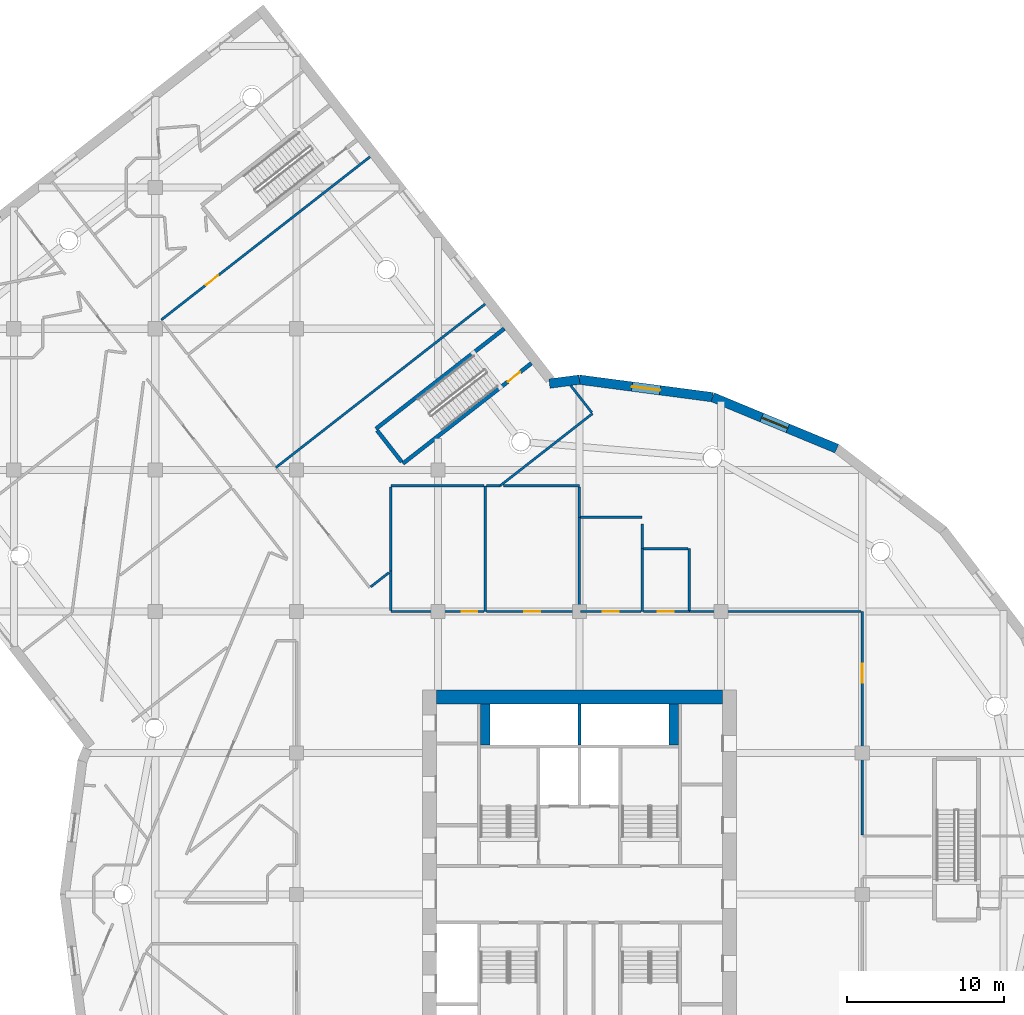
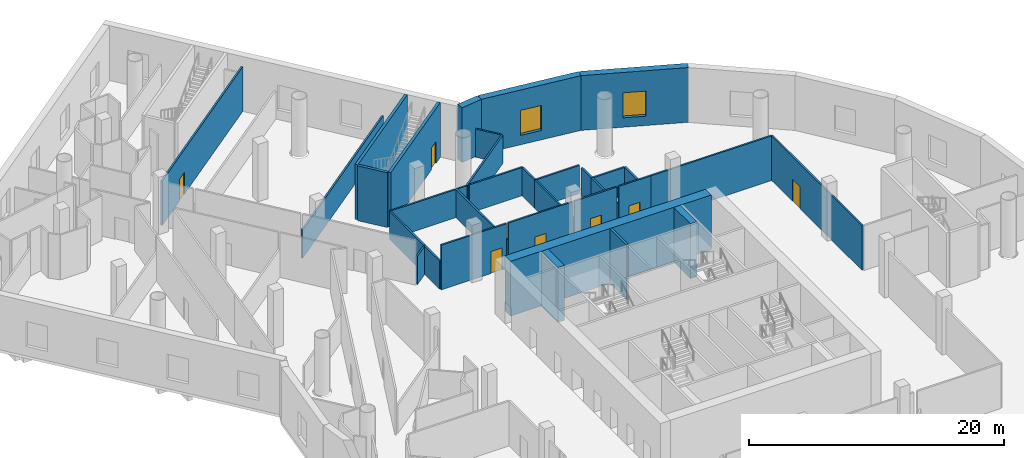
# One storey, part 10 of 23: 34 walls, 7 doors, 2 windows, 9 openings.
"""IFC4 building model written with IfcOpenShell, lengths in metres."""

import ifcopenshell
import ifcopenshell.guid

model = None  # the IFC model being written
_history = None  # IfcOwnerHistory: only IFC2X3 demands one
_inside = {}  # id of a spatial element -> (the spatial element, [elements in it])
_under = {}  # id of a project, library or spatial element -> (it, [spatial elements below it])
_declared = {}  # id of a project -> (the project, [libraries it declares])
_typed = {}  # id of a type object -> (the type object, [elements of that type])
_made_of = {}  # id of a material, layer set ... -> (it, [elements and type objects made of it])


def new_model(schema):
    """Start an empty IFC model of exactly this schema.

    Asked for "IFC4X3", IfcOpenShell would pick the latest addendum, in which some entities
    have other attributes; the version numbers below select the first issue.
    IFC2X3 requires an IfcOwnerHistory on every rooted entity: one is made here for all.
    """
    global model, _history
    if schema == "IFC4X3":
        model = ifcopenshell.file(schema_version=(4, 3, 0, 0))
    else:
        model = ifcopenshell.file(schema=schema)
    _inside.clear()
    _under.clear()
    _declared.clear()
    _typed.clear()
    _made_of.clear()
    _history = None
    if model.schema == "IFC2X3":
        org = make("IfcOrganization", Name="unknown")
        user = make(
            "IfcPersonAndOrganization",
            ThePerson=make("IfcPerson", FamilyName="unknown"),
            TheOrganization=org,
        )
        app = make(
            "IfcApplication",
            ApplicationDeveloper=org,
            Version="unknown",
            ApplicationFullName="unknown",
            ApplicationIdentifier="unknown",
        )
        _history = make(
            "IfcOwnerHistory",
            OwningUser=user,
            OwningApplication=app,
            ChangeAction="ADDED",
            CreationDate=0,
        )
    return model


def make(cls, **values):
    """One entity of the class cls with the attributes given. An attribute that is None is left unset."""
    return model.create_entity(
        cls, **{name: value for name, value in values.items() if value is not None}
    )


def rooted(cls, **values):
    """An entity with a GlobalId (a new one), such as an element, a storey or a relation."""
    return make(cls, GlobalId=ifcopenshell.guid.new(), OwnerHistory=_history, **values)


def si_unit(unit_type, name, prefix=None):
    """IfcSIUnit, for example si_unit("LENGTHUNIT", "METRE", prefix="MILLI")."""
    return make("IfcSIUnit", UnitType=unit_type, Prefix=prefix, Name=name)


def assignment(units):
    """IfcUnitAssignment: the units of a project."""
    return None if units is None else make("IfcUnitAssignment", Units=units)


def point(xyz):
    """IfcCartesianPoint."""
    return None if xyz is None else make("IfcCartesianPoint", Coordinates=xyz)


def direction(xyz):
    """IfcDirection."""
    return None if xyz is None else make("IfcDirection", DirectionRatios=xyz)


def frame(location, z_axis=None, x_axis=None):
    """IfcAxis2Placement3D, a coordinate frame: its origin and axes. An axis left out is left unset."""
    return make(
        "IfcAxis2Placement3D",
        Location=point(location),
        Axis=direction(z_axis),
        RefDirection=direction(x_axis),
    )


def frame_2d(location, x_axis=None):
    """IfcAxis2Placement2D, a coordinate frame in the plane: its origin and x axis."""
    return make(
        "IfcAxis2Placement2D", Location=point(location), RefDirection=direction(x_axis)
    )


def origin():
    """The frame at (0, 0, 0) with its axes left unset."""
    return frame((0.0, 0.0, 0.0))


def place(relative_to, where):
    """IfcLocalPlacement: puts the frame where relative to a parent placement (None: the world)."""
    return make(
        "IfcLocalPlacement", PlacementRelTo=relative_to, RelativePlacement=where
    )


def context(
    kind, dimensions, precision=None, world=None, true_north=None, identifier=None
):
    """IfcGeometricRepresentationContext, for example the 3D "Model" context."""
    return make(
        "IfcGeometricRepresentationContext",
        ContextIdentifier=identifier,
        ContextType=kind,
        CoordinateSpaceDimension=dimensions,
        Precision=precision,
        WorldCoordinateSystem=world,
        TrueNorth=true_north,
    )


def subcontext(parent, identifier, kind, view, scale=None):
    """IfcGeometricRepresentationSubContext, for example "Body" below "Model"."""
    return make(
        "IfcGeometricRepresentationSubContext",
        ContextIdentifier=identifier,
        ContextType=kind,
        ParentContext=parent,
        TargetScale=scale,
        TargetView=view,
    )


def project(units=None, contexts=None):
    """IfcProject with its units and contexts."""
    return rooted(
        "IfcProject",
        Name="project",
        RepresentationContexts=contexts,
        UnitsInContext=assignment(units),
    )


def spatial(cls, under=None, at=None, **own):
    """A site, building, storey or space (cls), placed at a placement, below another one or the project."""
    s = rooted(cls, ObjectPlacement=at, **own)
    if under is not None:
        _under.setdefault(under.id(), (under, []))[1].append(s)
    return s


def profile(cls, at=None, kind="AREA", **sizes):
    """A parametric profile (cls). Its sizes go by their IFC names, for example OverallWidth=200.0."""
    return make(cls, ProfileType=kind, Position=at, **sizes)


def rectangle(**sizes):
    """IfcRectangleProfileDef."""
    return profile("IfcRectangleProfileDef", **sizes)


def extrude(swept, where, along, depth):
    """IfcExtrudedAreaSolid: the profile swept, set in the frame where, extruded along a direction by depth."""
    return make(
        "IfcExtrudedAreaSolid",
        SweptArea=swept,
        Position=where,
        ExtrudedDirection=direction(along),
        Depth=depth,
    )


def shape(context_of_items, identifier, shape_type, items):
    """IfcShapeRepresentation: the items that make up one representation, for example the "Body"."""
    return make(
        "IfcShapeRepresentation",
        ContextOfItems=context_of_items,
        RepresentationIdentifier=identifier,
        RepresentationType=shape_type,
        Items=items,
    )


def material(Name=None, Category=None):
    """IfcMaterial."""
    return make("IfcMaterial", Name=Name, Category=Category)


def layer(
    of_material, thickness, ventilated=None, Name=None, Category=None, Priority=None
):
    """IfcMaterialLayer: one layer of a wall or slab, of a material (None: an air gap)."""
    return make(
        "IfcMaterialLayer",
        Material=of_material,
        LayerThickness=thickness,
        IsVentilated=ventilated,
        Name=Name,
        Category=Category,
        Priority=Priority,
    )


def layer_set(layers, Name=None):
    """IfcMaterialLayerSet."""
    return make("IfcMaterialLayerSet", MaterialLayers=layers, LayerSetName=Name)


def made_of(thing, what):
    """Note that an element or type object is made of a material, layer set ...; save() writes the relation."""
    if what is not None:
        _made_of.setdefault(what.id(), (what, []))[1].append(thing)
    return thing


def type_object(cls, material=None, **own):
    """A type object (cls), such as IfcWallType, which elements share."""
    return made_of(rooted(cls, **own), material)


def element(
    cls,
    number,
    at=None,
    inside=None,
    cuts=None,
    type_object=None,
    material=None,
    context=None,
    identifier="Body",
    shape_type=None,
    held_by="IfcProductDefinitionShape",
    body=None,
    shapes=None,
    **own,
):
    """One element of the class cls, such as IfcWall. Its Tag is "e" and its number.

    at: its placement. inside: the storey or other place that contains it. cuts: it is an
    opening in that element (IfcRelVoidsElement). A single representation is given by context,
    identifier, shape_type and body (its items); several are given by shapes. held_by: the class
    of the entity that holds the representations. save() writes the other relations.
    """
    e = rooted(cls, Tag="e%d" % number, ObjectPlacement=at, **own)
    if body is not None:
        shapes = [shape(context, identifier, shape_type, body)]
    if shapes is not None:
        e.Representation = make(held_by, Representations=shapes)
    if inside is not None:
        _inside.setdefault(inside.id(), (inside, []))[1].append(e)
    if cuts is not None:
        rooted(
            "IfcRelVoidsElement", RelatingBuildingElement=cuts, RelatedOpeningElement=e
        )
    if type_object is not None:
        _typed.setdefault(type_object.id(), (type_object, []))[1].append(e)
    return made_of(e, material)


def fill(opening, filler):
    """IfcRelFillsElement: the door or window that sits in an opening."""
    return rooted(
        "IfcRelFillsElement",
        RelatingOpeningElement=opening,
        RelatedBuildingElement=filler,
    )


def aggregate(whole, parts):
    """IfcRelAggregates: a whole, such as a stair, and the parts it consists of."""
    return rooted("IfcRelAggregates", RelatingObject=whole, RelatedObjects=parts)


def save(model, path):
    """Write the relations noted so far, then the file.

    IfcRelAggregates (storeys below a building ...), IfcRelContainedInSpatialStructure (elements
    in a storey), IfcRelDefinesByType, IfcRelAssociatesMaterial and IfcRelDeclares: one each for
    every whole, place, type object, material and project.
    """
    for whole, parts in _under.values():
        aggregate(whole, parts)
    for where, things in _inside.values():
        rooted(
            "IfcRelContainedInSpatialStructure",
            RelatedElements=things,
            RelatingStructure=where,
        )
    for kind, things in _typed.values():
        rooted("IfcRelDefinesByType", RelatedObjects=things, RelatingType=kind)
    for what, things in _made_of.values():
        rooted("IfcRelAssociatesMaterial", RelatedObjects=things, RelatingMaterial=what)
    for by, libraries in _declared.values():
        rooted("IfcRelDeclares", RelatingContext=by, RelatedDefinitions=libraries)
    model.write(path)


model = new_model("IFC4")

# Units and contexts
model_context = context("Model", 3, precision=1e-05, world=origin(), true_north=direction((0.0, 1.0)))
body_context = subcontext(model_context, "Body", "Model", "MODEL_VIEW")
ifc_project = project(units=[si_unit("LENGTHUNIT", "METRE"), si_unit("AREAUNIT", "SQUARE_METRE"), si_unit("VOLUMEUNIT", "CUBIC_METRE"), si_unit("PLANEANGLEUNIT", "RADIAN"), si_unit("MASSUNIT", "GRAM", prefix="KILO")], contexts=[model_context])

# Site, building, storey
site_placement = place(None, origin())
site = spatial("IfcSite", under=ifc_project, at=site_placement, CompositionType="ELEMENT")
building_placement = place(site_placement, origin())
building = spatial("IfcBuilding", under=site, at=building_placement, Name="Tarsis Ring Headquarters", CompositionType="ELEMENT")
storey_placement = place(building_placement, frame((0.0, 0.0, 14.0)))
storey = spatial("IfcBuildingStorey", under=building, at=storey_placement, Name="L02", CompositionType="ELEMENT", Elevation=14.0)

# Walls
ifc_material_1 = material(Name="Concrete C60/75", Category="concrete")
ifc_layer_1 = layer(ifc_material_1, 0.89990234375)
ifc_layer_set_1 = layer_set([ifc_layer_1], Name="Core wall 900 C60/75")
wall_type_1 = type_object("IfcWallType", Name="Core wall 900 C60/75", PredefinedType="SHEAR", material=ifc_layer_set_1)
wall_1_placement = place(storey_placement, frame((-9.10009765625, 12.550048828125, 0.0), z_axis=(0.0, 0.0, 1.0), x_axis=(1.0, 0.0, 0.0)))
element("IfcWall", 1, at=wall_1_placement, inside=storey, type_object=wall_type_1, Name="Core wall ON", PredefinedType="SHEAR", context=body_context, shape_type="SweptSolid", body=[
    extrude(rectangle(XDim=18.2001953125, YDim=0.89990234375, at=frame_2d((9.10009765625, 0.0))), origin(), (0.0, 0.0, 1.0), 5.25),
])
ifc_material_2 = material(Name="Plasterboard partition")
ifc_layer_2 = layer(ifc_material_2, 0.14990234375)
ifc_layer_set_2 = layer_set([ifc_layer_2], Name="PO-PW150")
wall_type_2 = type_object("IfcWallType", Name="PO-PW150", PredefinedType="PARTITIONING", material=ifc_layer_set_2)
wall_2_placement = place(storey_placement, frame((-6.002197265625, 37.56884765625, 0.0), z_axis=(0.0, 0.0, 1.0), x_axis=(-0.788014736946, -0.61565637685, 0.0)))
element("IfcWall", 2, at=wall_2_placement, inside=storey, type_object=wall_type_2, Name="L02 partition wall 4", PredefinedType="PARTITIONING", context=body_context, shape_type="SweptSolid", body=[
    extrude(rectangle(XDim=16.89990234375, YDim=0.14990234375, at=frame_2d((8.449951171875, 0.0))), origin(), (0.0, 0.0, 1.0), 2.699951171875),
])
wall_3_placement = place(storey_placement, frame((-6.0, 18.0, 0.0), z_axis=(0.0, 0.0, 1.0), x_axis=(0.0, 1.0, 0.0)))
element("IfcWall", 3, at=wall_3_placement, inside=storey, type_object=wall_type_2, Name="L02 partition wall 41", PredefinedType="PARTITIONING", context=body_context, shape_type="SweptSolid", body=[
    extrude(rectangle(XDim=8.0, YDim=0.14990234375, at=frame_2d((4.0, 0.0))), origin(), (0.0, 0.0, 1.0), 2.699951171875),
])
wall_4_placement = place(storey_placement, frame((0.83740234375, 30.602783203125, 0.0), z_axis=(0.0, 0.0, 1.0), x_axis=(-0.788026354001, -0.61564150721, 0.0)))
element("IfcWall", 4, at=wall_4_placement, inside=storey, type_object=wall_type_2, Name="L02 partition wall 50", PredefinedType="PARTITIONING", context=body_context, shape_type="SweptSolid", body=[
    extrude(rectangle(XDim=7.476318359375, YDim=0.14990234375, at=frame_2d((3.73828125, 0.0))), origin(), (0.0, 0.0, 1.0), 2.699951171875),
])
wall_5_placement = place(storey_placement, frame((-6.080078125, 26.0, 0.0), z_axis=(0.0, 0.0, 1.0), x_axis=(-1.0, 0.0, 0.0)))
element("IfcWall", 5, at=wall_5_placement, inside=storey, type_object=wall_type_2, Name="L02 partition wall 61", PredefinedType="PARTITIONING", context=body_context, shape_type="SweptSolid", body=[
    extrude(rectangle(XDim=5.919921875, YDim=0.14990234375, at=frame_2d((2.9599609375, 0.0))), origin(), (0.0, 0.0, 1.0), 2.699951171875),
])
wall_6_placement = place(storey_placement, frame((0.0, 18.0, 0.0), z_axis=(0.0, 0.0, 1.0), x_axis=(0.0, 1.0, 0.0)))
element("IfcWall", 6, at=wall_6_placement, inside=storey, type_object=wall_type_2, Name="L02 partition wall 63", PredefinedType="PARTITIONING", context=body_context, shape_type="SweptSolid", body=[
    extrude(rectangle(XDim=6.0, YDim=0.14990234375, at=frame_2d((3.0, 0.0))), origin(), (0.0, 0.0, 1.0), 2.699951171875),
])
wall_7_placement = place(storey_placement, frame((-12.0, 25.919921875, 0.0), z_axis=(0.0, 0.0, 1.0), x_axis=(0.0, -1.0, 0.0)))
element("IfcWall", 7, at=wall_7_placement, inside=storey, type_object=wall_type_2, Name="L02 partition wall 70", PredefinedType="PARTITIONING", context=body_context, shape_type="SweptSolid", body=[
    extrude(rectangle(XDim=5.346435546875, YDim=0.14990234375, at=frame_2d((2.67333984375, 0.0))), origin(), (0.0, 0.0, 1.0), 2.699951171875),
])
wall_8_placement = place(storey_placement, frame((-0.001953125, 26.0, 0.0), z_axis=(0.0, 0.0, 1.0), x_axis=(-1.0, 0.0, 0.0)))
element("IfcWall", 8, at=wall_8_placement, inside=storey, type_object=wall_type_2, Name="L02 partition wall 74", PredefinedType="PARTITIONING", context=body_context, shape_type="SweptSolid", body=[
    extrude(rectangle(XDim=4.832275390625, YDim=0.14990234375, at=frame_2d((2.416015625, 0.0))), origin(), (0.0, 0.0, 1.0), 2.699951171875),
])
wall_9_placement = place(storey_placement, frame((4.0, 18.0, 0.0), z_axis=(0.0, 0.0, 1.0), x_axis=(0.0, 1.0, 0.0)))
element("IfcWall", 9, at=wall_9_placement, inside=storey, type_object=wall_type_2, Name="L02 partition wall 89", PredefinedType="PARTITIONING", context=body_context, shape_type="SweptSolid", body=[
    extrude(rectangle(XDim=4.0, YDim=0.14990234375, at=frame_2d((2.0, 0.0))), origin(), (0.0, 0.0, 1.0), 2.699951171875),
])
wall_10_placement = place(storey_placement, frame((7.0, 18.080078125, 0.0), z_axis=(0.0, 0.0, 1.0), x_axis=(0.0, 1.0, 0.0)))
element("IfcWall", 10, at=wall_10_placement, inside=storey, type_object=wall_type_2, Name="L02 partition wall 90", PredefinedType="PARTITIONING", context=body_context, shape_type="SweptSolid", body=[
    extrude(rectangle(XDim=3.919921875, YDim=0.14990234375, at=frame_2d((1.9599609375, 0.0))), origin(), (0.0, 0.0, 1.0), 2.699951171875),
])
wall_11_placement = place(storey_placement, frame((0.080078125, 24.0, 0.0), z_axis=(0.0, 0.0, 1.0), x_axis=(1.0, 0.0, 0.0)))
element("IfcWall", 11, at=wall_11_placement, inside=storey, type_object=wall_type_2, Name="L02 partition wall 91", PredefinedType="PARTITIONING", context=body_context, shape_type="SweptSolid", body=[
    extrude(rectangle(XDim=3.91796875, YDim=0.14990234375, at=frame_2d((1.958984375, 0.0))), origin(), (0.0, 0.0, 1.0), 2.699951171875),
])
wall_12_placement = place(storey_placement, frame((6.919921875, 22.0, 0.0), z_axis=(0.0, 0.0, 1.0), x_axis=(-1.0, 0.0, 0.0)))
element("IfcWall", 12, at=wall_12_placement, inside=storey, type_object=wall_type_2, Name="L02 partition wall 100", PredefinedType="PARTITIONING", context=body_context, shape_type="SweptSolid", body=[
    extrude(rectangle(XDim=2.83984375, YDim=0.14990234375, at=frame_2d((1.419921875, 0.0))), origin(), (0.0, 0.0, 1.0), 2.699951171875),
])
wall_13_placement = place(storey_placement, frame((-12.0, 20.573486328125, 0.0), z_axis=(0.0, 0.0, 1.0), x_axis=(0.0, -1.0, 0.0)))
element("IfcWall", 13, at=wall_13_placement, inside=storey, type_object=wall_type_2, Name="L02 partition wall 114", PredefinedType="PARTITIONING", context=body_context, shape_type="SweptSolid", body=[
    extrude(rectangle(XDim=2.493408203125, YDim=0.14990234375, at=frame_2d((1.24658203125, 0.0))), origin(), (0.0, 0.0, 1.0), 2.699951171875),
])
wall_14_placement = place(storey_placement, frame((0.787353515625, 30.66552734375, 0.0), z_axis=(0.0, 0.0, 1.0), x_axis=(-0.615661438752, 0.788010782181, 0.0)))
element("IfcWall", 14, at=wall_14_placement, inside=storey, type_object=wall_type_2, Name="L02 partition wall 118", PredefinedType="PARTITIONING", context=body_context, shape_type="SweptSolid", body=[
    extrude(rectangle(XDim=2.1787109375, YDim=0.14990234375, at=frame_2d((1.08935546875, 0.0))), origin(), (0.0, 0.0, 1.0), 2.699951171875),
])
wall_15_placement = place(storey_placement, frame((0.0, 24.0, 0.0), z_axis=(0.0, 0.0, 1.0), x_axis=(0.0, 1.0, 0.0)))
element("IfcWall", 15, at=wall_15_placement, inside=storey, type_object=wall_type_2, Name="L02 partition wall 127", PredefinedType="PARTITIONING", context=body_context, shape_type="SweptSolid", body=[
    extrude(rectangle(XDim=1.91796875, YDim=0.14990234375, at=frame_2d((0.958984375, 0.0))), origin(), (0.0, 0.0, 1.0), 2.699951171875),
])
wall_16_placement = place(storey_placement, frame((-13.28466796875, 19.56982421875, 0.0), z_axis=(0.0, 0.0, 1.0), x_axis=(0.788089823948, 0.615560256506, 0.0)))
element("IfcWall", 16, at=wall_16_placement, inside=storey, type_object=wall_type_2, Name="L02 partition wall 138", PredefinedType="PARTITIONING", context=body_context, shape_type="SweptSolid", body=[
    extrude(rectangle(XDim=1.47021484375, YDim=0.14990234375, at=frame_2d((0.735107421875, 0.0))), origin(), (0.0, 0.0, 1.0), 2.699951171875),
])
wall_17_placement = place(storey_placement, frame((4.0, 22.0, 0.0), z_axis=(0.0, 0.0, 1.0), x_axis=(0.0, 1.0, 0.0)))
element("IfcWall", 17, at=wall_17_placement, inside=storey, type_object=wall_type_2, Name="L02 partition wall 143", PredefinedType="PARTITIONING", context=body_context, shape_type="SweptSolid", body=[
    extrude(rectangle(XDim=1.567626953125, YDim=0.14990234375, at=frame_2d((0.78369140625, 0.0))), origin(), (0.0, 0.0, 1.0), 2.699951171875),
])
wall_18_placement = place(storey_placement, frame((-5.05419921875, 26.0, 0.0), z_axis=(0.0, 0.0, 1.0), x_axis=(-1.0, 0.0, 0.0)))
element("IfcWall", 18, at=wall_18_placement, inside=storey, type_object=wall_type_2, Name="L02 partition wall 165", PredefinedType="PARTITIONING", context=body_context, shape_type="SweptSolid", body=[
    extrude(rectangle(XDim=0.86572265625, YDim=0.14990234375, at=frame_2d((0.432861328125, 0.0))), origin(), (0.0, 0.0, 1.0), 2.699951171875),
])

# Wall, opening, door
ifc_layer_3 = layer(ifc_material_2, 0.14990234375)
ifc_layer_set_3 = layer_set([ifc_layer_3], Name="PO-PW150R-4283")
wall_type_3 = type_object("IfcWallType", Name="PO-PW150R-4283", PredefinedType="PARTITIONING", material=ifc_layer_set_3)
wall_19_placement = place(storey_placement, frame((-13.3271484375, 46.944580078125, 0.0), z_axis=(0.0, 0.0, 1.0), x_axis=(-0.788009225699, -0.615663430953, 0.0)))
wall_19 = element("IfcWall", 19, at=wall_19_placement, inside=storey, type_object=wall_type_3, Name="L02 partition wall 6", PredefinedType="PARTITIONING", context=body_context, shape_type="SweptSolid", body=[
    extrude(rectangle(XDim=16.860107421875, YDim=0.14990234375, at=frame_2d((8.43017578125, 0.0))), origin(), (0.0, 0.0, 1.0), 4.282958984375),
])
opening_1_placement = place(wall_19_placement, frame((12.263427734375, 0.0, 0.0)))
opening_1 = element("IfcOpeningElement", 20, at=opening_1_placement, cuts=wall_19, Name="Opening PO-D1", PredefinedType="OPENING", context=body_context, shape_type="SweptSolid", body=[
    extrude(rectangle(XDim=1.0, YDim=2.10009765625, at=frame_2d((0.5, 1.050048828125))), frame((0.0, 0.0849609375, 0.0), z_axis=(0.0, -1.0, 0.0), x_axis=(1.0, 0.0, 0.0)), (0.0, 0.0, 1.0), 0.169921875),
])
ifc_material_3 = material(Name="Timber door", Category="wood")
door_type_1 = type_object("IfcDoorType", Name="PO-D1000", OperationType="NOTDEFINED", PredefinedType="DOOR", material=ifc_material_3)
door_1_placement = place(opening_1_placement, origin())
door_1 = element("IfcDoor", 21, at=door_1_placement, inside=storey, type_object=door_type_1, Name="Breakout room door", OperationType="SINGLE_SWING_RIGHT", OverallHeight=2.10009765625, OverallWidth=1.0, PredefinedType="DOOR", context=body_context, shape_type="SweptSolid", body=[
    extrude(rectangle(XDim=1.0, YDim=2.10009765625, at=frame_2d((0.5, 1.050048828125))), frame((0.0, 0.02490234375, 0.0), z_axis=(0.0, -1.0, 0.0), x_axis=(1.0, 0.0, 0.0)), (0.0, 0.0, 1.0), 0.050048828125),
])
fill(opening_1, door_1)

wall_20_placement = place(storey_placement, frame((18.001953125, 18.0, 0.0), z_axis=(0.0, 0.0, 1.0), x_axis=(0.0, -1.0, 0.0)))
wall_20 = element("IfcWall", 22, at=wall_20_placement, inside=storey, type_object=wall_type_3, Name="L02 partition wall 10", PredefinedType="PARTITIONING", context=body_context, shape_type="SweptSolid", body=[
    extrude(rectangle(XDim=14.22998046875, YDim=0.14990234375, at=frame_2d((7.114990234375, 0.0))), origin(), (0.0, 0.0, 1.0), 4.282958984375),
])
opening_2_placement = place(wall_20_placement, frame((3.32080078125, 0.0, 0.0)))
opening_2 = element("IfcOpeningElement", 23, at=opening_2_placement, cuts=wall_20, Name="Opening PO-D2", PredefinedType="OPENING", context=body_context, shape_type="SweptSolid", body=[
    extrude(rectangle(XDim=1.199951171875, YDim=2.10009765625, at=frame_2d((0.60009765625, 1.050048828125))), frame((0.0, 0.0849609375, 0.0), z_axis=(0.0, -1.0, 0.0), x_axis=(1.0, 0.0, 0.0)), (0.0, 0.0, 1.0), 0.169921875),
])
door_type_2 = type_object("IfcDoorType", Name="PO-D1200", OperationType="NOTDEFINED", PredefinedType="DOOR", material=ifc_material_3)
door_2_placement = place(opening_2_placement, origin())
door_2 = element("IfcDoor", 24, at=door_2_placement, inside=storey, type_object=door_type_2, Name="Meeting room door", OperationType="SINGLE_SWING_RIGHT", OverallHeight=2.10009765625, OverallWidth=1.199951171875, PredefinedType="DOOR", context=body_context, shape_type="SweptSolid", body=[
    extrude(rectangle(XDim=1.199951171875, YDim=2.10009765625, at=frame_2d((0.60009765625, 1.050048828125))), frame((0.0, 0.02490234375, 0.0), z_axis=(0.0, -1.0, 0.0), x_axis=(1.0, 0.0, 0.0)), (0.0, 0.0, 1.0), 0.050048828125),
])
fill(opening_2, door_2)

# Wall
wall_21_placement = place(storey_placement, frame((7.001953125, 18.001953125, 0.0), z_axis=(0.0, 0.0, 1.0), x_axis=(1.0, 0.0, 0.0)))
element("IfcWall", 25, at=wall_21_placement, inside=storey, type_object=wall_type_3, Name="L02 partition wall 20", PredefinedType="PARTITIONING", context=body_context, shape_type="SweptSolid", body=[
    extrude(rectangle(XDim=10.91796875, YDim=0.14990234375, at=frame_2d((5.458984375, 0.0))), origin(), (0.0, 0.0, 1.0), 4.282958984375),
])

# Wall, opening, door
wall_22_placement = place(storey_placement, frame((-12.0, 18.0, 0.0), z_axis=(0.0, 0.0, 1.0), x_axis=(1.0, 0.0, 0.0)))
wall_22 = element("IfcWall", 26, at=wall_22_placement, inside=storey, type_object=wall_type_3, Name="L02 partition wall 60", PredefinedType="PARTITIONING", context=body_context, shape_type="SweptSolid", body=[
    extrude(rectangle(XDim=5.919921875, YDim=0.14990234375, at=frame_2d((2.9599609375, 0.0))), origin(), (0.0, 0.0, 1.0), 4.282958984375),
])
opening_3_placement = place(wall_22_placement, frame((4.5, 0.0, 0.0)))
opening_3 = element("IfcOpeningElement", 27, at=opening_3_placement, cuts=wall_22, Name="Opening PO-D1", PredefinedType="OPENING", context=body_context, shape_type="SweptSolid", body=[
    extrude(rectangle(XDim=1.0, YDim=2.10009765625, at=frame_2d((0.5, 1.050048828125))), frame((0.0, 0.0849609375, 0.0), z_axis=(0.0, -1.0, 0.0), x_axis=(1.0, 0.0, 0.0)), (0.0, 0.0, 1.0), 0.169921875),
])
door_3_placement = place(opening_3_placement, origin())
door_3 = element("IfcDoor", 28, at=door_3_placement, inside=storey, type_object=door_type_1, Name="Male WC door", OperationType="SINGLE_SWING_RIGHT", OverallHeight=2.10009765625, OverallWidth=1.0, PredefinedType="DOOR", context=body_context, shape_type="SweptSolid", body=[
    extrude(rectangle(XDim=1.0, YDim=2.10009765625, at=frame_2d((0.5, 1.050048828125))), frame((0.0, 0.02490234375, 0.0), z_axis=(0.0, -1.0, 0.0), x_axis=(1.0, 0.0, 0.0)), (0.0, 0.0, 1.0), 0.050048828125),
])
fill(opening_3, door_3)

wall_23_placement = place(storey_placement, frame((-5.919921875, 18.0, 0.0), z_axis=(0.0, 0.0, 1.0), x_axis=(1.0, 0.0, 0.0)))
wall_23 = element("IfcWall", 29, at=wall_23_placement, inside=storey, type_object=wall_type_3, Name="L02 partition wall 62", PredefinedType="PARTITIONING", context=body_context, shape_type="SweptSolid", body=[
    extrude(rectangle(XDim=5.83984375, YDim=0.14990234375, at=frame_2d((2.919921875, 0.0))), origin(), (0.0, 0.0, 1.0), 4.282958984375),
])
opening_4_placement = place(wall_23_placement, frame((2.419921875, 0.0, 0.0)))
opening_4 = element("IfcOpeningElement", 30, at=opening_4_placement, cuts=wall_23, Name="Opening PO-D1", PredefinedType="OPENING", context=body_context, shape_type="SweptSolid", body=[
    extrude(rectangle(XDim=1.0, YDim=2.10009765625, at=frame_2d((0.5, 1.050048828125))), frame((0.0, 0.0849609375, 0.0), z_axis=(0.0, -1.0, 0.0), x_axis=(1.0, 0.0, 0.0)), (0.0, 0.0, 1.0), 0.169921875),
])
door_4_placement = place(opening_4_placement, origin())
door_4 = element("IfcDoor", 31, at=door_4_placement, inside=storey, type_object=door_type_1, Name="Female WC door", OperationType="SINGLE_SWING_LEFT", OverallHeight=2.10009765625, OverallWidth=1.0, PredefinedType="DOOR", context=body_context, shape_type="SweptSolid", body=[
    extrude(rectangle(XDim=1.0, YDim=2.10009765625, at=frame_2d((0.5, 1.050048828125))), frame((0.0, 0.02490234375, 0.0), z_axis=(0.0, -1.0, 0.0), x_axis=(1.0, 0.0, 0.0)), (0.0, 0.0, 1.0), 0.050048828125),
])
fill(opening_4, door_4)

wall_24_placement = place(storey_placement, frame((0.080078125, 18.0, 0.0), z_axis=(0.0, 0.0, 1.0), x_axis=(1.0, 0.0, 0.0)))
wall_24 = element("IfcWall", 32, at=wall_24_placement, inside=storey, type_object=wall_type_3, Name="L02 partition wall 88", PredefinedType="PARTITIONING", context=body_context, shape_type="SweptSolid", body=[
    extrude(rectangle(XDim=3.83984375, YDim=0.14990234375, at=frame_2d((1.919921875, 0.0))), origin(), (0.0, 0.0, 1.0), 4.282958984375),
])
opening_5_placement = place(wall_24_placement, frame((1.419921875, 0.0, 0.0)))
opening_5 = element("IfcOpeningElement", 33, at=opening_5_placement, cuts=wall_24, Name="Opening PO-D1", PredefinedType="OPENING", context=body_context, shape_type="SweptSolid", body=[
    extrude(rectangle(XDim=1.0, YDim=2.10009765625, at=frame_2d((0.5, 1.050048828125))), frame((0.0, 0.0849609375, 0.0), z_axis=(0.0, -1.0, 0.0), x_axis=(1.0, 0.0, 0.0)), (0.0, 0.0, 1.0), 0.169921875),
])
door_5_placement = place(opening_5_placement, origin())
door_5 = element("IfcDoor", 34, at=door_5_placement, inside=storey, type_object=door_type_1, Name="Accessible WC door", OperationType="SINGLE_SWING_RIGHT", OverallHeight=2.10009765625, OverallWidth=1.0, PredefinedType="DOOR", context=body_context, shape_type="SweptSolid", body=[
    extrude(rectangle(XDim=1.0, YDim=2.10009765625, at=frame_2d((0.5, 1.050048828125))), frame((0.0, 0.02490234375, 0.0), z_axis=(0.0, -1.0, 0.0), x_axis=(1.0, 0.0, 0.0)), (0.0, 0.0, 1.0), 0.050048828125),
])
fill(opening_5, door_5)

wall_25_placement = place(storey_placement, frame((4.080078125, 18.0, 0.0), z_axis=(0.0, 0.0, 1.0), x_axis=(1.0, 0.0, 0.0)))
wall_25 = element("IfcWall", 35, at=wall_25_placement, inside=storey, type_object=wall_type_3, Name="L02 partition wall 99", PredefinedType="PARTITIONING", context=body_context, shape_type="SweptSolid", body=[
    extrude(rectangle(XDim=2.919921875, YDim=0.14990234375, at=frame_2d((1.4599609375, 0.0))), origin(), (0.0, 0.0, 1.0), 4.282958984375),
])
opening_6_placement = place(wall_25_placement, frame((0.919921875, 0.0, 0.0)))
opening_6 = element("IfcOpeningElement", 36, at=opening_6_placement, cuts=wall_25, Name="Opening PO-D1", PredefinedType="OPENING", context=body_context, shape_type="SweptSolid", body=[
    extrude(rectangle(XDim=1.0, YDim=2.10009765625, at=frame_2d((0.5, 1.050048828125))), frame((0.0, 0.0849609375, 0.0), z_axis=(0.0, -1.0, 0.0), x_axis=(1.0, 0.0, 0.0)), (0.0, 0.0, 1.0), 0.169921875),
])
door_6_placement = place(opening_6_placement, origin())
door_6 = element("IfcDoor", 37, at=door_6_placement, inside=storey, type_object=door_type_1, Name="Cleaners' store door", OperationType="SINGLE_SWING_LEFT", OverallHeight=2.10009765625, OverallWidth=1.0, PredefinedType="DOOR", context=body_context, shape_type="SweptSolid", body=[
    extrude(rectangle(XDim=1.0, YDim=2.10009765625, at=frame_2d((0.5, 1.050048828125))), frame((0.0, 0.02490234375, 0.0), z_axis=(0.0, -1.0, 0.0), x_axis=(1.0, 0.0, 0.0)), (0.0, 0.0, 1.0), 0.050048828125),
])
fill(opening_6, door_6)

ifc_material_4 = material(Name="Concrete C40/50", Category="concrete")
ifc_layer_4 = layer(ifc_material_4, 0.25)
ifc_layer_set_4 = layer_set([ifc_layer_4], Name="PO-W250")
wall_type_4 = type_object("IfcWallType", Name="PO-W250", PredefinedType="SOLIDWALL", material=ifc_layer_set_4)
wall_26_placement = place(storey_placement, frame((-3.0576171875, 33.80029296875, 0.0), z_axis=(0.0, 0.0, 1.0), x_axis=(-0.788273447376, -0.615325094696, 0.0)))
wall_26 = element("IfcWall", 38, at=wall_26_placement, inside=storey, type_object=wall_type_4, Name="L02 shaft wall 24", PredefinedType="SOLIDWALL", context=body_context, shape_type="SweptSolid", body=[
    extrude(rectangle(XDim=10.369873046875, YDim=0.25, at=frame_2d((5.18505859375, 0.0))), origin(), (0.0, 0.0, 1.0), 5.25),
])
opening_7_placement = place(wall_26_placement, frame((0.90478515625, 0.0, 0.0)))
opening_7 = element("IfcOpeningElement", 39, at=opening_7_placement, cuts=wall_26, Name="Opening PO-D3", PredefinedType="OPENING", context=body_context, shape_type="SweptSolid", body=[
    extrude(rectangle(XDim=1.0, YDim=2.10009765625, at=frame_2d((0.5, 1.050048828125))), frame((0.0, 0.135009765625, 0.0), z_axis=(0.0, -1.0, 0.0), x_axis=(1.0, 0.0, 0.0)), (0.0, 0.0, 1.0), 0.27001953125),
])
ifc_material_5 = material(Name="Steel fire door", Category="steel")
door_type_3 = type_object("IfcDoorType", Name="PO-D1000F", OperationType="SINGLE_SWING_LEFT", PredefinedType="DOOR", material=ifc_material_5)
door_7_placement = place(opening_7_placement, origin())
door_7 = element("IfcDoor", 40, at=door_7_placement, inside=storey, type_object=door_type_3, Name="Exit stair 3 door", OperationType="SINGLE_SWING_LEFT", OverallHeight=2.10009765625, OverallWidth=1.0, PredefinedType="DOOR", context=body_context, shape_type="SweptSolid", body=[
    extrude(rectangle(XDim=1.0, YDim=2.10009765625, at=frame_2d((0.5, 1.050048828125))), frame((0.0, 0.02490234375, 0.0), z_axis=(0.0, -1.0, 0.0), x_axis=(1.0, 0.0, 0.0)), (0.0, 0.0, 1.0), 0.050048828125),
])
fill(opening_7, door_7)

# Walls
wall_27_placement = place(storey_placement, frame((-12.954833984375, 29.626708984375, 0.0), z_axis=(0.0, 0.0, 1.0), x_axis=(0.788283470415, 0.615312254283, 0.0)))
element("IfcWall", 41, at=wall_27_placement, inside=storey, type_object=wall_type_4, Name="L02 shaft wall 26", PredefinedType="SOLIDWALL", context=body_context, shape_type="SweptSolid", body=[
    extrude(rectangle(XDim=10.368408203125, YDim=0.25, at=frame_2d((5.18408203125, 0.0))), origin(), (0.0, 0.0, 1.0), 5.25),
])
wall_28_placement = place(storey_placement, frame((-11.31201171875, 27.52197265625, 0.0), z_axis=(0.0, 0.0, 1.0), x_axis=(-0.615343695919, 0.788258926935, 0.0)))
element("IfcWall", 42, at=wall_28_placement, inside=storey, type_object=wall_type_4, Name="L02 shaft wall 105", PredefinedType="SOLIDWALL", context=body_context, shape_type="SweptSolid", body=[
    extrude(rectangle(XDim=2.5400390625, YDim=0.25, at=frame_2d((1.27001953125, 0.0))), origin(), (0.0, 0.0, 1.0), 5.25),
])

# Wall, opening, window
ifc_layer_5 = layer(ifc_material_1, 0.60009765625)
ifc_layer_set_5 = layer_set([ifc_layer_5], Name="PO-W600")
wall_type_5 = type_object("IfcWallType", Name="PO-W600", PredefinedType="SOLIDWALL", material=ifc_layer_set_5)
wall_29_placement = place(storey_placement, frame((16.37890625, 28.369140625, 0.0), z_axis=(0.0, 0.0, 1.0), x_axis=(-0.923883217595, 0.382674535665, 0.0)))
wall_29 = element("IfcWall", 43, at=wall_29_placement, inside=storey, type_object=wall_type_5, Name="L02 external wall 20", PredefinedType="SOLIDWALL", context=body_context, shape_type="SweptSolid", body=[
    extrude(rectangle(XDim=8.551513671875, YDim=0.60009765625, at=frame_2d((4.27587890625, 0.0))), origin(), (0.0, 0.0, 1.0), 5.25),
])
opening_8_placement = place(wall_29_placement, frame((3.375732421875, 0.0, 0.89990234375)))
opening_8 = element("IfcOpeningElement", 44, at=opening_8_placement, cuts=wall_29, Name="Opening PO-WN1", PredefinedType="OPENING", context=body_context, shape_type="SweptSolid", body=[
    extrude(rectangle(XDim=1.800048828125, YDim=2.39990234375, at=frame_2d((0.89990234375, 1.199951171875))), frame((0.0, 0.31005859375, 0.0), z_axis=(0.0, -1.0, 0.0), x_axis=(1.0, 0.0, 0.0)), (0.0, 0.0, 1.0), 0.6201171875),
])
ifc_material_6 = material(Name="Double glazing", Category="glass")
window_type = type_object("IfcWindowType", Name="PO-WN1800", PartitioningType="SINGLE_PANEL", PredefinedType="WINDOW", material=ifc_material_6)
window_1_placement = place(opening_8_placement, origin())
window_1 = element("IfcWindow", 45, at=window_1_placement, inside=storey, type_object=window_type, Name="L02 window 20.1", OverallHeight=2.39990234375, OverallWidth=1.800048828125, PartitioningType="SINGLE_PANEL", PredefinedType="WINDOW", context=body_context, shape_type="SweptSolid", body=[
    extrude(rectangle(XDim=1.800048828125, YDim=2.39990234375, at=frame_2d((0.89990234375, 1.199951171875))), frame((0.0, 0.030029296875, 0.0), z_axis=(0.0, -1.0, 0.0), x_axis=(1.0, 0.0, 0.0)), (0.0, 0.0, 1.0), 0.06005859375),
])
fill(opening_8, window_1)

wall_30_placement = place(storey_placement, frame((8.478271484375, 31.6416015625, 0.0), z_axis=(0.0, 0.0, 1.0), x_axis=(-0.991444478179, 0.130529102837, 0.0)))
wall_30 = element("IfcWall", 46, at=wall_30_placement, inside=storey, type_object=wall_type_5, Name="L02 external wall 21", PredefinedType="SOLIDWALL", context=body_context, shape_type="SweptSolid", body=[
    extrude(rectangle(XDim=8.551513671875, YDim=0.60009765625, at=frame_2d((4.27587890625, 0.0))), origin(), (0.0, 0.0, 1.0), 5.25),
])
opening_9_placement = place(wall_30_placement, frame((3.375732421875, 0.0, 0.89990234375)))
opening_9 = element("IfcOpeningElement", 47, at=opening_9_placement, cuts=wall_30, Name="Opening PO-WN1", PredefinedType="OPENING", context=body_context, shape_type="SweptSolid", body=[
    extrude(rectangle(XDim=1.800048828125, YDim=2.39990234375, at=frame_2d((0.89990234375, 1.199951171875))), frame((0.0, 0.31005859375, 0.0), z_axis=(0.0, -1.0, 0.0), x_axis=(1.0, 0.0, 0.0)), (0.0, 0.0, 1.0), 0.6201171875),
])
window_2_placement = place(opening_9_placement, origin())
window_2 = element("IfcWindow", 48, at=window_2_placement, inside=storey, type_object=window_type, Name="L02 window 21.1", OverallHeight=2.39990234375, OverallWidth=1.800048828125, PartitioningType="SINGLE_PANEL", PredefinedType="WINDOW", context=body_context, shape_type="SweptSolid", body=[
    extrude(rectangle(XDim=1.800048828125, YDim=2.39990234375, at=frame_2d((0.89990234375, 1.199951171875))), frame((0.0, 0.030029296875, 0.0), z_axis=(0.0, -1.0, 0.0), x_axis=(1.0, 0.0, 0.0)), (0.0, 0.0, 1.0), 0.06005859375),
])
fill(opening_9, window_2)

# Walls
wall_31_placement = place(storey_placement, frame((0.0, 32.7578125, 0.0), z_axis=(0.0, 0.0, 1.0), x_axis=(-0.991450406844, -0.130484063274, 0.0)))
element("IfcWall", 49, at=wall_31_placement, inside=storey, type_object=wall_type_5, Name="L02 external wall 22", PredefinedType="SOLIDWALL", context=body_context, shape_type="SweptSolid", body=[
    extrude(rectangle(XDim=1.92333984375, YDim=0.60009765625, at=frame_2d((0.961669921875, 0.0))), origin(), (0.0, 0.0, 1.0), 5.25),
])
ifc_material_7 = material(Name="Concrete C32/40", Category="concrete")
ifc_layer_6 = layer(ifc_material_7, 0.60009765625)
ifc_layer_set_6 = layer_set([ifc_layer_6], Name="Shaft end wall 600 C32/40")
wall_type_6 = type_object("IfcWallType", Name="Shaft end wall 600 C32/40", PredefinedType="SOLIDWALL", material=ifc_layer_set_6)
for number, where, z_axis, x_axis, name in (
    (50, (-6.0, 9.5, 0.0), (0.0, 0.0, 1.0), (0.0, 1.0, 0.0), "Core shaft wall NNE1"),
    (51, (6.0, 9.5, 0.0), (0.0, 0.0, 1.0), (0.0, 1.0, 0.0), "Core shaft wall NNE2"),
):
    element("IfcWall", number, at=place(storey_placement, frame(where, z_axis=z_axis, x_axis=x_axis)), inside=storey, type_object=wall_type_6, Name=name, PredefinedType="SOLIDWALL", context=body_context, shape_type="SweptSolid", body=[
        extrude(rectangle(XDim=2.60009765625, YDim=0.60009765625, at=frame_2d((1.300048828125, 0.0))), origin(), (0.0, 0.0, 1.0), 5.25),
    ])
ifc_layer_7 = layer(ifc_material_7, 0.199951171875)
ifc_layer_set_7 = layer_set([ifc_layer_7], Name="Shaft wall 200 C32/40")
wall_type_7 = type_object("IfcWallType", Name="Shaft wall 200 C32/40", PredefinedType="SOLIDWALL", material=ifc_layer_set_7)
wall_32_placement = place(storey_placement, frame((0.0, 9.5, 0.0), z_axis=(0.0, 0.0, 1.0), x_axis=(0.0, 1.0, 0.0)))
element("IfcWall", 52, at=wall_32_placement, inside=storey, type_object=wall_type_7, Name="Core shaft wall ND2", PredefinedType="SOLIDWALL", context=body_context, shape_type="SweptSolid", body=[
    extrude(rectangle(XDim=2.60009765625, YDim=0.199951171875, at=frame_2d((1.300048828125, 0.0))), origin(), (0.0, 0.0, 1.0), 5.25),
])

save(model, "model.ifc")
